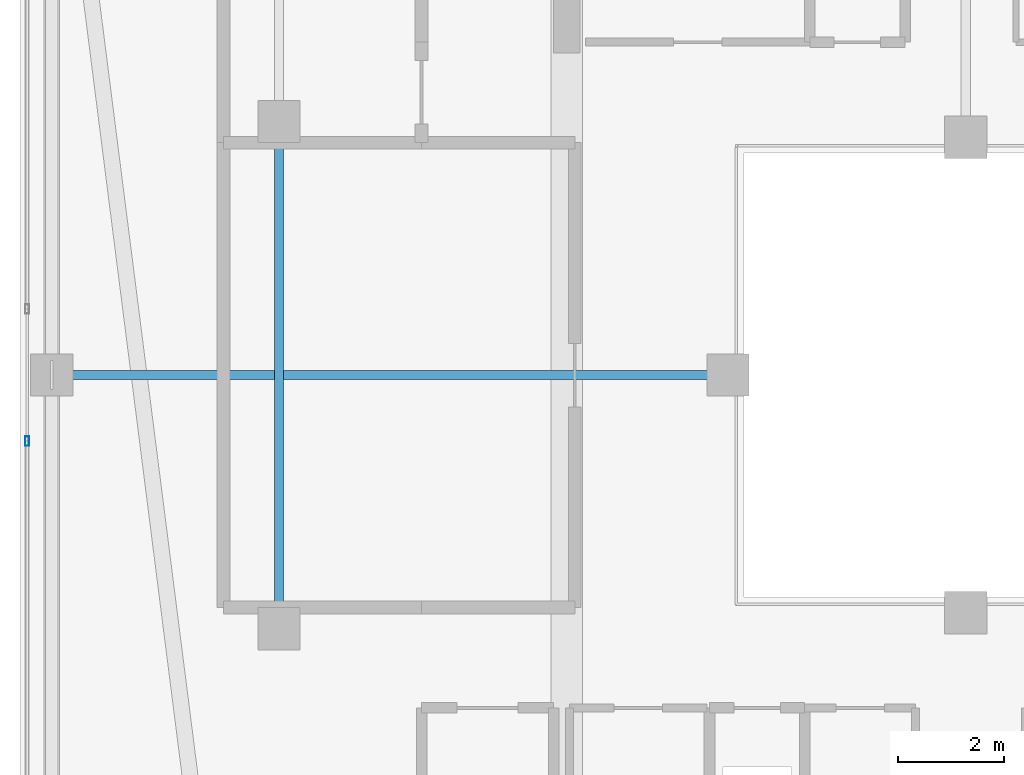
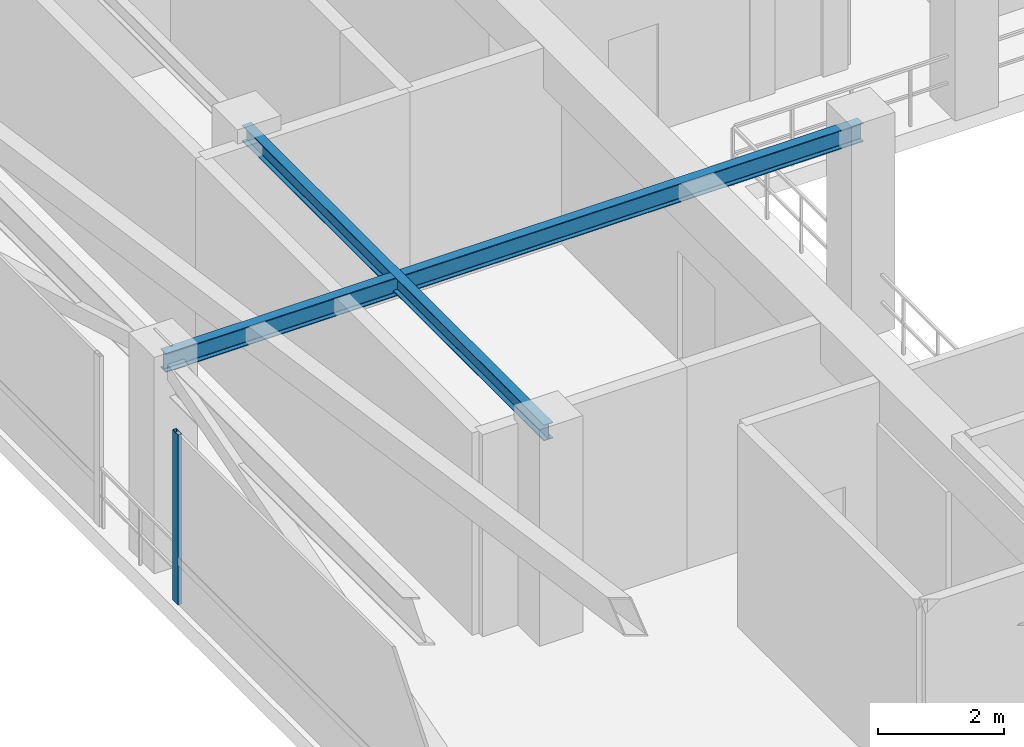
# One storey, part 10 of 47: 2 beams, 1 member, 1 element without a shape of its own.
"""IFC4 building model written with IfcOpenShell, lengths in metres."""

from ifc_helpers import new_model, si_unit, direction, frame, origin, origin_2d, place, context, subcontext, project, spatial, hollow_rectangle, i_section, extrude, material, material_profile, profile_set, type_object, element, aggregate, save


model = new_model("IFC4")

# Units and contexts
model_context = context("Model", 3, precision=1e-05, world=origin(), true_north=direction((0.0, 1.0)))
body_context = subcontext(model_context, "Body", "Model", "MODEL_VIEW")
ifc_project = project(units=[si_unit("LENGTHUNIT", "METRE"), si_unit("AREAUNIT", "SQUARE_METRE"), si_unit("VOLUMEUNIT", "CUBIC_METRE"), si_unit("PLANEANGLEUNIT", "RADIAN"), si_unit("MASSUNIT", "GRAM", prefix="KILO")], contexts=[model_context])

# Site, building, storey
site_placement = place(None, origin())
site = spatial("IfcSite", under=ifc_project, at=site_placement, CompositionType="ELEMENT")
building_placement = place(site_placement, origin())
building = spatial("IfcBuilding", under=site, at=building_placement, Name="Thornwick Lancets Civic Towers", CompositionType="ELEMENT")
storey_placement = place(building_placement, frame((0.0, 0.0, 279.89990234375)))
storey = spatial("IfcBuildingStorey", under=building, at=storey_placement, Name="C01", CompositionType="ELEMENT", Elevation=279.89990234375)

# Beams
ifc_material_1 = material(Name="Steel S355JR", Category="steel")
ifc_material_profile_1 = material_profile(ifc_material_1, i_section(OverallWidth=0.173095703125, OverallDepth=0.36328125, WebThickness=0.009033203125, FlangeThickness=0.015625, FilletRadius=0.01025390625, at=origin_2d()), Name="UKB 356x171x67")
ifc_profile_set_1 = profile_set([ifc_material_profile_1], Name="Steel S355JR")
beam_type_1 = type_object("IfcBeamType", Name="BM_JOIST_356_67", PredefinedType="JOIST", material=ifc_profile_set_1)
beam_1_placement = place(storey_placement, frame((21.0, 27.0, 3.75830078125), z_axis=(-1.0, 0.0, 0.0), x_axis=(0.0, -1.0, 0.0)))
element("IfcBeam", 1, at=beam_1_placement, inside=storey, type_object=beam_type_1, Name="BM-RADIN-C01-A11", PredefinedType="JOIST", context=body_context, shape_type="SweptSolid", body=[
    extrude(i_section(OverallWidth=0.173095703125, OverallDepth=0.36328125, WebThickness=0.009033203125, FlangeThickness=0.015625, FilletRadius=0.01025390625, at=origin_2d()), origin(), (0.0, 0.0, 1.0), 12.800048828125),
])
ifc_material_profile_2 = material_profile(ifc_material_1, i_section(OverallWidth=0.1669921875, OverallDepth=0.310302734375, WebThickness=0.0078125, FlangeThickness=0.013671875, FilletRadius=0.0087890625, at=origin_2d()), Name="UKB 305x165x54")
ifc_profile_set_2 = profile_set([ifc_material_profile_2], Name="Steel S355JR")
beam_type_2 = type_object("IfcBeamType", Name="BM_LINTEL_305_54", PredefinedType="LINTEL", material=ifc_profile_set_2)
beam_2_placement = place(storey_placement, frame((12.5, 22.199951171875, 3.784912109375), z_axis=(0.0, 1.0, 0.0), x_axis=(-1.0, 0.0, 0.0)))
element("IfcBeam", 2, at=beam_2_placement, inside=storey, type_object=beam_type_2, Name="BM-INSP-C01-A-0-2", PredefinedType="LINTEL", context=body_context, shape_type="SweptSolid", body=[
    extrude(i_section(OverallWidth=0.1669921875, OverallDepth=0.310302734375, WebThickness=0.0078125, FlangeThickness=0.013671875, FilletRadius=0.0087890625, at=origin_2d()), origin(), (0.0, 0.0, 1.0), 9.60009765625),
])

# Curtain wall, member
ifc_material_2 = material(Name="Crown ring acoustic-louvre and glazing screen wall", Category="glass")
curtain_wall_type = type_object("IfcCurtainWallType", Name="CW_SYS_07", PredefinedType="NOTDEFINED", material=ifc_material_2)
curtain_wall_placement = place(storey_placement, origin())
curtain_wall = element("IfcCurtainWall", 3, at=curtain_wall_placement, inside=storey, type_object=curtain_wall_type, Name="C01 Curtain Wall CW-C01-A-E6-S2", PredefinedType="NOTDEFINED")
ifc_material_3 = material(Name="Thermally broken bronze aluminium S355", Category="steel")
ifc_material_profile_3 = material_profile(ifc_material_3, hollow_rectangle(XDim=0.074951171875, YDim=0.179931640625, WallThickness=0.006103515625, at=origin_2d()), Name="RHS 180x75x6")
ifc_profile_set_3 = profile_set([ifc_material_profile_3], Name="Thermally broken bronze aluminium S355")
member_type = type_object("IfcMemberType", Name="CW_MUL_180", PredefinedType="MULLION", material=ifc_profile_set_3)
member_placement = place(storey_placement, frame((7.7353515625, 25.75, 0.0), z_axis=(0.0, 0.0, 1.0), x_axis=(1.0, 0.0, 0.0)))
member = element("IfcMember", 4, at=member_placement, type_object=member_type, Name="CW-C01-A-E6-S2 Mullion 0", PredefinedType="MULLION", context=body_context, shape_type="SweptSolid", body=[
    extrude(hollow_rectangle(XDim=0.074951171875, YDim=0.179931640625, WallThickness=0.006103515625, at=origin_2d()), origin(), (0.0, 0.0, 1.0), 3.300048828125),
])
aggregate(curtain_wall, [member])

save(model, "model.ifc")
